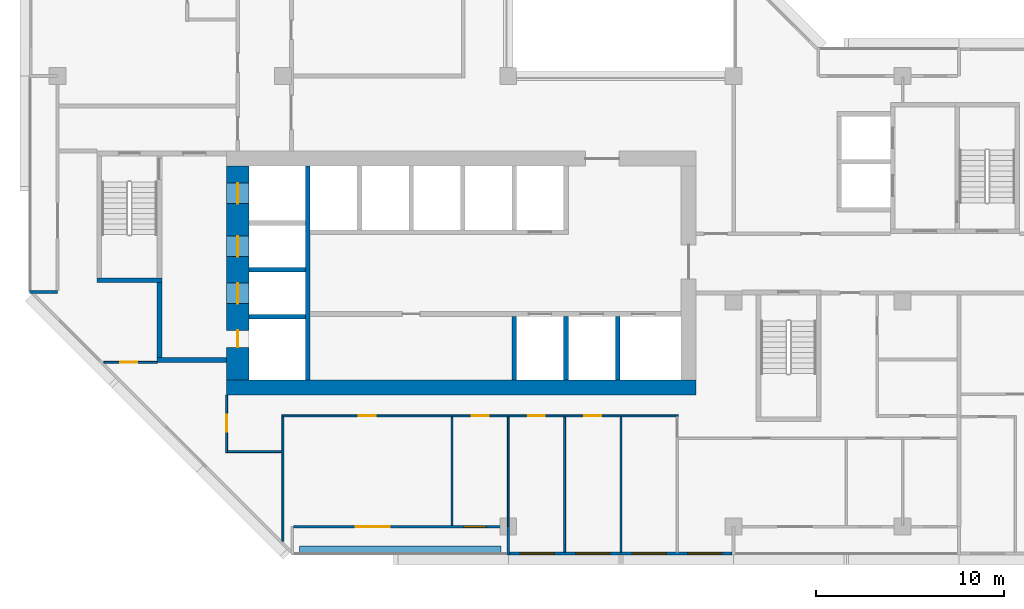
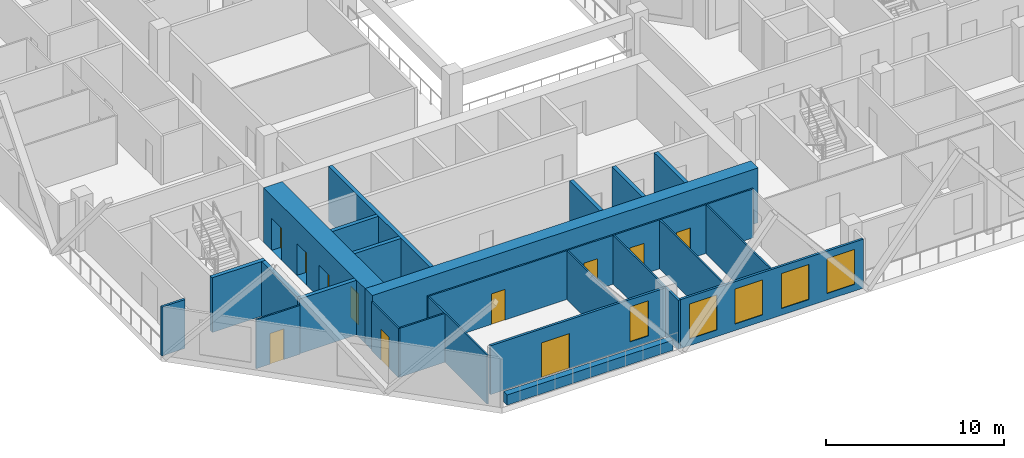
# One storey, part 4 of 14: 25 walls, 11 doors, 5 windows, 16 openings.
"""IFC4 building model written with IfcOpenShell, lengths in metres."""

from ifc_helpers import new_model, si_unit, direction, frame, frame_2d, origin, place, context, subcontext, project, spatial, rectangle, extrude, material, layer, layer_set, type_object, element, fill, save


model = new_model("IFC4")

# Units and contexts
model_context = context("Model", 3, precision=1e-05, world=origin(), true_north=direction((0.0, 1.0)))
body_context = subcontext(model_context, "Body", "Model", "MODEL_VIEW")
ifc_project = project(units=[si_unit("LENGTHUNIT", "METRE"), si_unit("AREAUNIT", "SQUARE_METRE"), si_unit("VOLUMEUNIT", "CUBIC_METRE"), si_unit("PLANEANGLEUNIT", "RADIAN"), si_unit("MASSUNIT", "GRAM", prefix="KILO")], contexts=[model_context])

# Site, building, storey
site_placement = place(None, origin())
site = spatial("IfcSite", under=ifc_project, at=site_placement, CompositionType="ELEMENT")
building_placement = place(site_placement, origin())
building = spatial("IfcBuilding", under=site, at=building_placement, Name="Chenar Terraces", CompositionType="ELEMENT")
storey_placement = place(building_placement, frame((0.0, 0.0, 179.89990234375)))
storey = spatial("IfcBuildingStorey", under=building, at=storey_placement, Name="L41", CompositionType="ELEMENT", Elevation=179.89990234375)

# Wall, openings, doors
ifc_material_1 = material(Name="Concrete C60/75", Category="concrete")
ifc_layer_1 = layer(ifc_material_1, 1.199951171875)
ifc_layer_set_1 = layer_set([ifc_layer_1], Name="Concrete C60/75")
wall_type_1 = type_object("IfcWallType", Name="Core wall 1200 Concrete C60/75", PredefinedType="SHEAR", material=ifc_layer_set_1)
wall_1_placement = place(storey_placement, frame((9.60009765625, 7.800048828125, 0.0), z_axis=(0.0, 0.0, 1.0), x_axis=(0.0, 1.0, 0.0)))
wall_1 = element("IfcWall", 1, at=wall_1_placement, inside=storey, type_object=wall_type_1, Name="Core wall W L41", PredefinedType="SHEAR", context=body_context, shape_type="SweptSolid", body=[
    extrude(rectangle(XDim=11.39990234375, YDim=1.199951171875, at=frame_2d((5.699951171875, 0.0))), origin(), (0.0, 0.0, 1.0), 3.75),
])
opening_1_placement = place(wall_1_placement, frame((4.074951171875, 0.0, 0.0)))
opening_1 = element("IfcOpeningElement", 2, at=opening_1_placement, cuts=wall_1, Name="Opening DL41-LD5", PredefinedType="OPENING", context=body_context, shape_type="SweptSolid", body=[
    extrude(rectangle(XDim=1.10009765625, YDim=2.199951171875, at=frame_2d((0.550048828125, 1.10009765625))), frame((0.0, 0.60986328125, 0.0), z_axis=(0.0, -1.0, 0.0), x_axis=(1.0, 0.0, 0.0)), (0.0, 0.0, 1.0), 1.219970703125),
])
opening_2_placement = place(wall_1_placement, frame((6.574951171875, 0.0, 0.0)))
opening_2 = element("IfcOpeningElement", 3, at=opening_2_placement, cuts=wall_1, Name="Opening DL41-LD6", PredefinedType="OPENING", context=body_context, shape_type="SweptSolid", body=[
    extrude(rectangle(XDim=1.10009765625, YDim=2.199951171875, at=frame_2d((0.550048828125, 1.10009765625))), frame((0.0, 0.60986328125, 0.0), z_axis=(0.0, -1.0, 0.0), x_axis=(1.0, 0.0, 0.0)), (0.0, 0.0, 1.0), 1.219970703125),
])
opening_3_placement = place(wall_1_placement, frame((9.39990234375, 0.0, 0.0)))
opening_3 = element("IfcOpeningElement", 4, at=opening_3_placement, cuts=wall_1, Name="Opening DL41-LD7", PredefinedType="OPENING", context=body_context, shape_type="SweptSolid", body=[
    extrude(rectangle(XDim=1.10009765625, YDim=2.199951171875, at=frame_2d((0.550048828125, 1.10009765625))), frame((0.0, 0.60986328125, 0.0), z_axis=(0.0, -1.0, 0.0), x_axis=(1.0, 0.0, 0.0)), (0.0, 0.0, 1.0), 1.219970703125),
])
opening_4_placement = place(wall_1_placement, frame((1.75, 0.0, 0.0)))
opening_4 = element("IfcOpeningElement", 5, at=opening_4_placement, cuts=wall_1, Name="Opening DL41-C4", PredefinedType="OPENING", context=body_context, shape_type="SweptSolid", body=[
    extrude(rectangle(XDim=0.89990234375, YDim=2.10009765625, at=frame_2d((0.449951171875, 1.050048828125))), frame((0.0, 0.60986328125, 0.0), z_axis=(0.0, -1.0, 0.0), x_axis=(1.0, 0.0, 0.0)), (0.0, 0.0, 1.0), 1.219970703125),
])
ifc_material_2 = material(Name="Stainless steel", Category="steel")
door_type_1 = type_object("IfcDoorType", Name="Lift landing door 1100 x 2200 sliding", OperationType="DOUBLE_DOOR_SLIDING", PredefinedType="DOOR", material=ifc_material_2)
door_1_placement = place(opening_1_placement, origin())
door_1 = element("IfcDoor", 6, at=door_1_placement, inside=storey, type_object=door_type_1, Name="Landing door S1", OperationType="DOUBLE_DOOR_SLIDING", OverallHeight=2.199951171875, OverallWidth=1.10009765625, PredefinedType="DOOR", context=body_context, shape_type="SweptSolid", body=[
    extrude(rectangle(XDim=1.10009765625, YDim=2.199951171875, at=frame_2d((0.550048828125, 1.10009765625))), frame((0.0, 0.02490234375, 0.0), z_axis=(0.0, -1.0, 0.0), x_axis=(1.0, 0.0, 0.0)), (0.0, 0.0, 1.0), 0.050048828125),
])
fill(opening_1, door_1)
door_2_placement = place(opening_2_placement, origin())
door_2 = element("IfcDoor", 7, at=door_2_placement, inside=storey, type_object=door_type_1, Name="Landing door F1", OperationType="DOUBLE_DOOR_SLIDING", OverallHeight=2.199951171875, OverallWidth=1.10009765625, PredefinedType="DOOR", context=body_context, shape_type="SweptSolid", body=[
    extrude(rectangle(XDim=1.10009765625, YDim=2.199951171875, at=frame_2d((0.550048828125, 1.10009765625))), frame((0.0, 0.02490234375, 0.0), z_axis=(0.0, -1.0, 0.0), x_axis=(1.0, 0.0, 0.0)), (0.0, 0.0, 1.0), 0.050048828125),
])
fill(opening_2, door_2)
door_3_placement = place(opening_3_placement, origin())
door_3 = element("IfcDoor", 8, at=door_3_placement, inside=storey, type_object=door_type_1, Name="Landing door F2", OperationType="DOUBLE_DOOR_SLIDING", OverallHeight=2.199951171875, OverallWidth=1.10009765625, PredefinedType="DOOR", context=body_context, shape_type="SweptSolid", body=[
    extrude(rectangle(XDim=1.10009765625, YDim=2.199951171875, at=frame_2d((0.550048828125, 1.10009765625))), frame((0.0, 0.02490234375, 0.0), z_axis=(0.0, -1.0, 0.0), x_axis=(1.0, 0.0, 0.0)), (0.0, 0.0, 1.0), 0.050048828125),
])
fill(opening_3, door_3)
ifc_material_3 = material(Name="Steel-framed fire-resisting door leaf", Category="steel")
door_type_2 = type_object("IfcDoorType", Name="Riser fire door FD60 900 x 2100", OperationType="SINGLE_SWING_LEFT", PredefinedType="DOOR", material=ifc_material_3)
door_4_placement = place(opening_4_placement, frame((0.89990234375, 0.0, 0.0), z_axis=(0.0, 0.0, 1.0), x_axis=(-1.0, 0.0, 0.0)))
door_4 = element("IfcDoor", 9, at=door_4_placement, inside=storey, type_object=door_type_2, Name="Riser door DL41-C4", OperationType="SINGLE_SWING_LEFT", OverallHeight=2.10009765625, OverallWidth=0.89990234375, PredefinedType="DOOR", context=body_context, shape_type="SweptSolid", body=[
    extrude(rectangle(XDim=0.89990234375, YDim=2.10009765625, at=frame_2d((0.449951171875, 1.050048828125))), frame((0.0, 0.02490234375, 0.0), z_axis=(0.0, -1.0, 0.0), x_axis=(1.0, 0.0, 0.0)), (0.0, 0.0, 1.0), 0.050048828125),
])
fill(opening_4, door_4)

# Walls
ifc_material_4 = material(Name="Concrete C60/75", Category="concrete")
ifc_layer_2 = layer(ifc_material_4, 0.25)
ifc_layer_set_2 = layer_set([ifc_layer_2], Name="Concrete C60/75")
wall_type_2 = type_object("IfcWallType", Name="Core wall 250 Concrete C60/75", PredefinedType="SHEAR", material=ifc_layer_set_2)
wall_2_placement = place(storey_placement, frame((13.324951171875, 7.800048828125, 0.0), z_axis=(0.0, 0.0, 1.0), x_axis=(0.0, 1.0, 0.0)))
element("IfcWall", 10, at=wall_2_placement, inside=storey, type_object=wall_type_2, Name="Core wall WI L41", PredefinedType="SHEAR", context=body_context, shape_type="SweptSolid", body=[
    extrude(rectangle(XDim=11.39990234375, YDim=0.25, at=frame_2d((5.699951171875, 0.0))), origin(), (0.0, 0.0, 1.0), 3.75),
])
for number, where, z_axis, x_axis, name in (
    (11, (10.199951171875, 11.175048828125, 0.0), (0.0, 0.0, 1.0), (1.0, 0.0, 0.0), "Core wall HW0 L41"),
    (12, (10.199951171875, 13.675048828125, 0.0), (0.0, 0.0, 1.0), (1.0, 0.0, 0.0), "Core wall HW1 L41"),
):
    element("IfcWall", number, at=place(storey_placement, frame(where, z_axis=z_axis, x_axis=x_axis)), inside=storey, type_object=wall_type_2, Name=name, PredefinedType="SHEAR", context=body_context, shape_type="SweptSolid", body=[
        extrude(rectangle(XDim=3.0, YDim=0.25, at=frame_2d((1.5, 0.0))), origin(), (0.0, 0.0, 1.0), 3.75),
    ])
for number, where, z_axis, x_axis, name in (
    (13, (24.324951171875, 7.800048828125, 0.0), (0.0, 0.0, 1.0), (0.0, 1.0, 0.0), "Core wall SS3 L41"),
    (14, (27.074951171875, 7.800048828125, 0.0), (0.0, 0.0, 1.0), (0.0, 1.0, 0.0), "Core wall SS4 L41"),
    (15, (29.824951171875, 7.800048828125, 0.0), (0.0, 0.0, 1.0), (0.0, 1.0, 0.0), "Core wall SS5 L41"),
):
    element("IfcWall", number, at=place(storey_placement, frame(where, z_axis=z_axis, x_axis=x_axis)), inside=storey, type_object=wall_type_2, Name=name, PredefinedType="SHEAR", context=body_context, shape_type="SweptSolid", body=[
        extrude(rectangle(XDim=3.39990234375, YDim=0.25, at=frame_2d((1.699951171875, 0.0))), origin(), (0.0, 0.0, 1.0), 3.75),
    ])
wall_3_placement = place(storey_placement, frame((2.10009765625, 13.125, 0.0), z_axis=(0.0, 0.0, 1.0), x_axis=(1.0, 0.0, 0.0)))
element("IfcWall", 16, at=wall_3_placement, inside=storey, type_object=wall_type_2, Name="Core wall ST1_S L41", PredefinedType="SHEAR", context=body_context, shape_type="SweptSolid", body=[
    extrude(rectangle(XDim=3.449951171875, YDim=0.25, at=frame_2d((1.72509765625, 0.0))), origin(), (0.0, 0.0, 1.0), 3.75),
])
wall_4_placement = place(storey_placement, frame((5.300048828125, 8.875, 0.0), z_axis=(0.0, 0.0, 1.0), x_axis=(1.0, 0.0, 0.0)))
element("IfcWall", 17, at=wall_4_placement, inside=storey, type_object=wall_type_2, Name="Core wall FFL_S L41", PredefinedType="SHEAR", context=body_context, shape_type="SweptSolid", body=[
    extrude(rectangle(XDim=3.699951171875, YDim=0.25, at=frame_2d((1.85009765625, 0.0))), origin(), (0.0, 0.0, 1.0), 3.75),
])
wall_5_placement = place(storey_placement, frame((5.425048828125, 9.0, 0.0), z_axis=(0.0, 0.0, 1.0), x_axis=(0.0, 1.0, 0.0)))
element("IfcWall", 18, at=wall_5_placement, inside=storey, type_object=wall_type_2, Name="Core wall FFL_W L41", PredefinedType="SHEAR", context=body_context, shape_type="SweptSolid", body=[
    extrude(rectangle(XDim=4.0, YDim=0.25, at=frame_2d((2.0, 0.0))), origin(), (0.0, 0.0, 1.0), 3.75),
])
ifc_material_5 = material(Name="Concrete C60/75", Category="concrete")
ifc_layer_3 = layer(ifc_material_5, 0.800048828125)
ifc_layer_set_3 = layer_set([ifc_layer_3], Name="Concrete C60/75")
wall_type_3 = type_object("IfcWallType", Name="Core wall 800 Concrete C60/75", PredefinedType="SHEAR", material=ifc_layer_set_3)
wall_6_placement = place(storey_placement, frame((9.0, 7.39990234375, 0.0), z_axis=(0.0, 0.0, 1.0), x_axis=(1.0, 0.0, 0.0)))
element("IfcWall", 19, at=wall_6_placement, inside=storey, type_object=wall_type_3, Name="Core wall S L41", PredefinedType="SHEAR", context=body_context, shape_type="SweptSolid", body=[
    extrude(rectangle(XDim=25.0, YDim=0.800048828125, at=frame_2d((12.5, 0.0))), origin(), (0.0, 0.0, 1.0), 3.75),
])

# Wall, openings, windows
ifc_material_6 = material(Name="Aluminium framed glazing", Category="aluminium")
ifc_layer_4 = layer(ifc_material_6, 0.14990234375)
ifc_layer_set_4 = layer_set([ifc_layer_4], Name="Aluminium framed glazing")
wall_type_4 = type_object("IfcWallType", Name="Glazed flush facade wall 150", PredefinedType="SOLIDWALL", material=ifc_layer_set_4)
wall_7_placement = place(storey_placement, frame((24.074951171875, -1.425048828125, 0.0), z_axis=(0.0, 0.0, 1.0), x_axis=(1.0, 0.0, 0.0)))
wall_7 = element("IfcWall", 20, at=wall_7_placement, inside=storey, type_object=wall_type_4, Name="Glazed flush facade wall", PredefinedType="SOLIDWALL", context=body_context, shape_type="SweptSolid", body=[
    extrude(rectangle(XDim=11.85009765625, YDim=0.14990234375, at=frame_2d((5.925048828125, 0.0))), origin(), (0.0, 0.0, 1.0), 3.35009765625),
])
opening_5_placement = place(wall_7_placement, frame((0.5625, 0.0, 0.449951171875)))
opening_5 = element("IfcOpeningElement", 21, at=opening_5_placement, cuts=wall_7, Name="Opening W180x240", PredefinedType="OPENING", context=body_context, shape_type="SweptSolid", body=[
    extrude(rectangle(XDim=1.800048828125, YDim=2.39990234375, at=frame_2d((0.89990234375, 1.199951171875))), frame((0.0, 0.0849609375, 0.0), z_axis=(0.0, -1.0, 0.0), x_axis=(1.0, 0.0, 0.0)), (0.0, 0.0, 1.0), 0.169921875),
])
opening_6_placement = place(wall_7_placement, frame((3.52490234375, 0.0, 0.449951171875)))
opening_6 = element("IfcOpeningElement", 22, at=opening_6_placement, cuts=wall_7, Name="Opening W180x240", PredefinedType="OPENING", context=body_context, shape_type="SweptSolid", body=[
    extrude(rectangle(XDim=1.800048828125, YDim=2.39990234375, at=frame_2d((0.89990234375, 1.199951171875))), frame((0.0, 0.0849609375, 0.0), z_axis=(0.0, -1.0, 0.0), x_axis=(1.0, 0.0, 0.0)), (0.0, 0.0, 1.0), 0.169921875),
])
opening_7_placement = place(wall_7_placement, frame((6.52490234375, 0.0, 0.449951171875)))
opening_7 = element("IfcOpeningElement", 23, at=opening_7_placement, cuts=wall_7, Name="Opening W180x240", PredefinedType="OPENING", context=body_context, shape_type="SweptSolid", body=[
    extrude(rectangle(XDim=1.800048828125, YDim=2.39990234375, at=frame_2d((0.89990234375, 1.199951171875))), frame((0.0, 0.0849609375, 0.0), z_axis=(0.0, -1.0, 0.0), x_axis=(1.0, 0.0, 0.0)), (0.0, 0.0, 1.0), 0.169921875),
])
opening_8_placement = place(wall_7_placement, frame((9.487548828125, 0.0, 0.449951171875)))
opening_8 = element("IfcOpeningElement", 24, at=opening_8_placement, cuts=wall_7, Name="Opening W180x240", PredefinedType="OPENING", context=body_context, shape_type="SweptSolid", body=[
    extrude(rectangle(XDim=1.800048828125, YDim=2.39990234375, at=frame_2d((0.89990234375, 1.199951171875))), frame((0.0, 0.0849609375, 0.0), z_axis=(0.0, -1.0, 0.0), x_axis=(1.0, 0.0, 0.0)), (0.0, 0.0, 1.0), 0.169921875),
])
ifc_material_7 = material(Name="Low emissivity double glazing, aluminium frame", Category="aluminium")
window_type_1 = type_object("IfcWindowType", Name="Fixed light 1800 x 2400", PartitioningType="SINGLE_PANEL", PredefinedType="WINDOW", material=ifc_material_7)
window_1_placement = place(opening_5_placement, origin())
window_1 = element("IfcWindow", 25, at=window_1_placement, inside=storey, type_object=window_type_1, Name="Window", OverallHeight=2.39990234375, OverallWidth=1.800048828125, PartitioningType="SINGLE_PANEL", PredefinedType="WINDOW", context=body_context, shape_type="SweptSolid", body=[
    extrude(rectangle(XDim=1.800048828125, YDim=2.39990234375, at=frame_2d((0.89990234375, 1.199951171875))), frame((0.0, 0.030029296875, 0.0), z_axis=(0.0, -1.0, 0.0), x_axis=(1.0, 0.0, 0.0)), (0.0, 0.0, 1.0), 0.06005859375),
])
fill(opening_5, window_1)
window_2_placement = place(opening_6_placement, origin())
window_2 = element("IfcWindow", 26, at=window_2_placement, inside=storey, type_object=window_type_1, Name="Window", OverallHeight=2.39990234375, OverallWidth=1.800048828125, PartitioningType="SINGLE_PANEL", PredefinedType="WINDOW", context=body_context, shape_type="SweptSolid", body=[
    extrude(rectangle(XDim=1.800048828125, YDim=2.39990234375, at=frame_2d((0.89990234375, 1.199951171875))), frame((0.0, 0.030029296875, 0.0), z_axis=(0.0, -1.0, 0.0), x_axis=(1.0, 0.0, 0.0)), (0.0, 0.0, 1.0), 0.06005859375),
])
fill(opening_6, window_2)
window_3_placement = place(opening_7_placement, origin())
window_3 = element("IfcWindow", 27, at=window_3_placement, inside=storey, type_object=window_type_1, Name="Window", OverallHeight=2.39990234375, OverallWidth=1.800048828125, PartitioningType="SINGLE_PANEL", PredefinedType="WINDOW", context=body_context, shape_type="SweptSolid", body=[
    extrude(rectangle(XDim=1.800048828125, YDim=2.39990234375, at=frame_2d((0.89990234375, 1.199951171875))), frame((0.0, 0.030029296875, 0.0), z_axis=(0.0, -1.0, 0.0), x_axis=(1.0, 0.0, 0.0)), (0.0, 0.0, 1.0), 0.06005859375),
])
fill(opening_7, window_3)
window_4_placement = place(opening_8_placement, origin())
window_4 = element("IfcWindow", 28, at=window_4_placement, inside=storey, type_object=window_type_1, Name="Window", OverallHeight=2.39990234375, OverallWidth=1.800048828125, PartitioningType="SINGLE_PANEL", PredefinedType="WINDOW", context=body_context, shape_type="SweptSolid", body=[
    extrude(rectangle(XDim=1.800048828125, YDim=2.39990234375, at=frame_2d((0.89990234375, 1.199951171875))), frame((0.0, 0.030029296875, 0.0), z_axis=(0.0, -1.0, 0.0), x_axis=(1.0, 0.0, 0.0)), (0.0, 0.0, 1.0), 0.06005859375),
])
fill(opening_8, window_4)

# Wall, openings, window, door
ifc_material_8 = material(Name="Aluminium framed glazing", Category="aluminium")
ifc_layer_5 = layer(ifc_material_8, 0.14990234375)
ifc_layer_set_5 = layer_set([ifc_layer_5], Name="Aluminium framed glazing")
wall_type_5 = type_object("IfcWallType", Name="Glazed loggia back wall 150", PredefinedType="SOLIDWALL", material=ifc_layer_set_5)
wall_8_placement = place(storey_placement, frame((12.574951171875, 0.0, 0.0), z_axis=(0.0, 0.0, 1.0), x_axis=(1.0, 0.0, 0.0)))
wall_8 = element("IfcWall", 29, at=wall_8_placement, inside=storey, type_object=wall_type_5, Name="Glazed loggia back wall", PredefinedType="SOLIDWALL", context=body_context, shape_type="SweptSolid", body=[
    extrude(rectangle(XDim=11.35009765625, YDim=0.14990234375, at=frame_2d((5.675048828125, 0.0))), origin(), (0.0, 0.0, 1.0), 3.35009765625),
])
opening_9_placement = place(wall_8_placement, frame((3.3125, 0.0, 0.0)))
opening_9 = element("IfcOpeningElement", 30, at=opening_9_placement, cuts=wall_8, Name="Opening DL41-G5", PredefinedType="OPENING", context=body_context, shape_type="SweptSolid", body=[
    extrude(rectangle(XDim=1.800048828125, YDim=2.39990234375, at=frame_2d((0.89990234375, 1.199951171875))), frame((0.0, 0.0849609375, 0.0), z_axis=(0.0, -1.0, 0.0), x_axis=(1.0, 0.0, 0.0)), (0.0, 0.0, 1.0), 0.169921875),
])
opening_10_placement = place(wall_8_placement, frame((9.050048828125, 0.0, 0.449951171875)))
opening_10 = element("IfcOpeningElement", 31, at=opening_10_placement, cuts=wall_8, Name="Opening W120x240", PredefinedType="OPENING", context=body_context, shape_type="SweptSolid", body=[
    extrude(rectangle(XDim=1.199951171875, YDim=2.39990234375, at=frame_2d((0.60009765625, 1.199951171875))), frame((0.0, 0.0849609375, 0.0), z_axis=(0.0, -1.0, 0.0), x_axis=(1.0, 0.0, 0.0)), (0.0, 0.0, 1.0), 0.169921875),
])
ifc_material_9 = material(Name="Low emissivity double glazing, aluminium frame", Category="aluminium")
window_type_2 = type_object("IfcWindowType", Name="Fixed light 1200 x 2400", PartitioningType="SINGLE_PANEL", PredefinedType="WINDOW", material=ifc_material_9)
window_5_placement = place(opening_10_placement, origin())
window_5 = element("IfcWindow", 32, at=window_5_placement, inside=storey, type_object=window_type_2, Name="Window", OverallHeight=2.39990234375, OverallWidth=1.199951171875, PartitioningType="SINGLE_PANEL", PredefinedType="WINDOW", context=body_context, shape_type="SweptSolid", body=[
    extrude(rectangle(XDim=1.199951171875, YDim=2.39990234375, at=frame_2d((0.60009765625, 1.199951171875))), frame((0.0, 0.030029296875, 0.0), z_axis=(0.0, -1.0, 0.0), x_axis=(1.0, 0.0, 0.0)), (0.0, 0.0, 1.0), 0.06005859375),
])
fill(opening_10, window_5)
ifc_material_10 = material(Name="Low emissivity double glazing, aluminium frame", Category="aluminium")
door_type_3 = type_object("IfcDoorType", Name="Loggia glazed double door 1800 x 2400", OperationType="DOUBLE_DOOR_SINGLE_SWING", PredefinedType="DOOR", material=ifc_material_10)
door_5_placement = place(opening_9_placement, frame((1.800048828125, 0.0, 0.0), z_axis=(0.0, 0.0, 1.0), x_axis=(-1.0, 0.0, 0.0)))
door_5 = element("IfcDoor", 33, at=door_5_placement, inside=storey, type_object=door_type_3, Name="Loggia glazed door", OperationType="DOUBLE_DOOR_SINGLE_SWING", OverallHeight=2.39990234375, OverallWidth=1.800048828125, PredefinedType="DOOR", context=body_context, shape_type="SweptSolid", body=[
    extrude(rectangle(XDim=1.800048828125, YDim=2.39990234375, at=frame_2d((0.89990234375, 1.199951171875))), frame((0.0, 0.02490234375, 0.0), z_axis=(0.0, -1.0, 0.0), x_axis=(1.0, 0.0, 0.0)), (0.0, 0.0, 1.0), 0.050048828125),
])
fill(opening_9, door_5)

# Wall, opening, door
ifc_material_11 = material(Name="Gypsum board on steel studs", Category="steel")
ifc_layer_6 = layer(ifc_material_11, 0.10009765625)
ifc_layer_set_6 = layer_set([ifc_layer_6], Name="Gypsum board on steel studs")
wall_type_6 = type_object("IfcWallType", Name="Gypsum partition 100", PredefinedType="PARTITIONING", material=ifc_layer_set_6)
wall_9_placement = place(storey_placement, frame((2.4609375, 8.75, 0.0), z_axis=(0.0, 0.0, 1.0), x_axis=(1.0, 0.0, 0.0)))
wall_9 = element("IfcWall", 34, at=wall_9_placement, inside=storey, type_object=wall_type_6, Name="Partition L41-012", PredefinedType="PARTITIONING", context=body_context, shape_type="SweptSolid", body=[
    extrude(rectangle(XDim=2.839111328125, YDim=0.10009765625, at=frame_2d((1.41943359375, 0.0))), origin(), (0.0, 0.0, 1.0), 3.35009765625),
])
opening_11_placement = place(wall_9_placement, frame((0.888916015625, 0.0, 0.0)))
opening_11 = element("IfcOpeningElement", 35, at=opening_11_placement, cuts=wall_9, Name="Opening DL41-48", PredefinedType="OPENING", context=body_context, shape_type="SweptSolid", body=[
    extrude(rectangle(XDim=0.89990234375, YDim=2.10009765625, at=frame_2d((0.449951171875, 1.050048828125))), frame((0.0, 0.06005859375, 0.0), z_axis=(0.0, -1.0, 0.0), x_axis=(1.0, 0.0, 0.0)), (0.0, 0.0, 1.0), 0.1201171875),
])
ifc_material_12 = material(Name="Veneered timber door leaf", Category="wood")
door_type_4 = type_object("IfcDoorType", Name="Door 900 x 2100", OperationType="SINGLE_SWING_LEFT", PredefinedType="DOOR", material=ifc_material_12)
door_6_placement = place(opening_11_placement, frame((0.89990234375, 0.0, 0.0), z_axis=(0.0, 0.0, 1.0), x_axis=(-1.0, 0.0, 0.0)))
door_6 = element("IfcDoor", 36, at=door_6_placement, inside=storey, type_object=door_type_4, Name="Door DL41-48", OperationType="SINGLE_SWING_RIGHT", OverallHeight=2.10009765625, OverallWidth=0.89990234375, PredefinedType="DOOR", context=body_context, shape_type="SweptSolid", body=[
    extrude(rectangle(XDim=0.89990234375, YDim=2.10009765625, at=frame_2d((0.449951171875, 1.050048828125))), frame((0.0, 0.02490234375, 0.0), z_axis=(0.0, -1.0, 0.0), x_axis=(1.0, 0.0, 0.0)), (0.0, 0.0, 1.0), 0.050048828125),
])
fill(opening_11, door_6)

wall_10_placement = place(storey_placement, frame((9.0, 3.949951171875, 0.0), z_axis=(0.0, 0.0, 1.0), x_axis=(0.0, 1.0, 0.0)))
wall_10 = element("IfcWall", 37, at=wall_10_placement, inside=storey, type_object=wall_type_6, Name="Partition L41-029", PredefinedType="PARTITIONING", context=body_context, shape_type="SweptSolid", body=[
    extrude(rectangle(XDim=3.050048828125, YDim=0.10009765625, at=frame_2d((1.52490234375, 0.0))), origin(), (0.0, 0.0, 1.0), 3.35009765625),
])
opening_12_placement = place(wall_10_placement, frame((1.10009765625, 0.0, 0.0)))
opening_12 = element("IfcOpeningElement", 38, at=opening_12_placement, cuts=wall_10, Name="Opening DL41-47", PredefinedType="OPENING", context=body_context, shape_type="SweptSolid", body=[
    extrude(rectangle(XDim=0.89990234375, YDim=2.10009765625, at=frame_2d((0.449951171875, 1.050048828125))), frame((0.0, 0.06005859375, 0.0), z_axis=(0.0, -1.0, 0.0), x_axis=(1.0, 0.0, 0.0)), (0.0, 0.0, 1.0), 0.1201171875),
])
door_7_placement = place(opening_12_placement, origin())
door_7 = element("IfcDoor", 39, at=door_7_placement, inside=storey, type_object=door_type_4, Name="Door DL41-47", OperationType="SINGLE_SWING_LEFT", OverallHeight=2.10009765625, OverallWidth=0.89990234375, PredefinedType="DOOR", context=body_context, shape_type="SweptSolid", body=[
    extrude(rectangle(XDim=0.89990234375, YDim=2.10009765625, at=frame_2d((0.449951171875, 1.050048828125))), frame((0.0, 0.02490234375, 0.0), z_axis=(0.0, -1.0, 0.0), x_axis=(1.0, 0.0, 0.0)), (0.0, 0.0, 1.0), 0.050048828125),
])
fill(opening_12, door_7)

# Wall
wall_11_placement = place(storey_placement, frame((9.050048828125, 4.0, 0.0), z_axis=(0.0, 0.0, 1.0), x_axis=(1.0, 0.0, 0.0)))
element("IfcWall", 40, at=wall_11_placement, inside=storey, type_object=wall_type_6, Name="Partition L41-030", PredefinedType="PARTITIONING", context=body_context, shape_type="SweptSolid", body=[
    extrude(rectangle(XDim=2.89990234375, YDim=0.10009765625, at=frame_2d((1.449951171875, 0.0))), origin(), (0.0, 0.0, 1.0), 3.35009765625),
])

# Wall, openings, doors
wall_12_placement = place(storey_placement, frame((11.949951171875, 5.89990234375, 0.0), z_axis=(0.0, 0.0, 1.0), x_axis=(1.0, 0.0, 0.0)))
wall_12 = element("IfcWall", 41, at=wall_12_placement, inside=storey, type_object=wall_type_6, Name="Partition L41-032", PredefinedType="PARTITIONING", context=body_context, shape_type="SweptSolid", body=[
    extrude(rectangle(XDim=21.10009765625, YDim=0.10009765625, at=frame_2d((10.550048828125, 0.0))), origin(), (0.0, 0.0, 1.0), 3.35009765625),
])
opening_13_placement = place(wall_12_placement, frame((10.10009765625, 0.0, 0.0)))
opening_13 = element("IfcOpeningElement", 42, at=opening_13_placement, cuts=wall_12, Name="Opening DL41-41", PredefinedType="OPENING", context=body_context, shape_type="SweptSolid", body=[
    extrude(rectangle(XDim=0.89990234375, YDim=2.10009765625, at=frame_2d((0.449951171875, 1.050048828125))), frame((0.0, 0.06005859375, 0.0), z_axis=(0.0, -1.0, 0.0), x_axis=(1.0, 0.0, 0.0)), (0.0, 0.0, 1.0), 0.1201171875),
])
opening_14_placement = place(wall_12_placement, frame((13.10009765625, 0.0, 0.0)))
opening_14 = element("IfcOpeningElement", 43, at=opening_14_placement, cuts=wall_12, Name="Opening DL41-42", PredefinedType="OPENING", context=body_context, shape_type="SweptSolid", body=[
    extrude(rectangle(XDim=0.89990234375, YDim=2.10009765625, at=frame_2d((0.449951171875, 1.050048828125))), frame((0.0, 0.06005859375, 0.0), z_axis=(0.0, -1.0, 0.0), x_axis=(1.0, 0.0, 0.0)), (0.0, 0.0, 1.0), 0.1201171875),
])
opening_15_placement = place(wall_12_placement, frame((16.10009765625, 0.0, 0.0)))
opening_15 = element("IfcOpeningElement", 44, at=opening_15_placement, cuts=wall_12, Name="Opening DL41-43", PredefinedType="OPENING", context=body_context, shape_type="SweptSolid", body=[
    extrude(rectangle(XDim=0.89990234375, YDim=2.10009765625, at=frame_2d((0.449951171875, 1.050048828125))), frame((0.0, 0.06005859375, 0.0), z_axis=(0.0, -1.0, 0.0), x_axis=(1.0, 0.0, 0.0)), (0.0, 0.0, 1.0), 0.1201171875),
])
opening_16_placement = place(wall_12_placement, frame((4.10009765625, 0.0, 0.0)))
opening_16 = element("IfcOpeningElement", 45, at=opening_16_placement, cuts=wall_12, Name="Opening DL41-51", PredefinedType="OPENING", context=body_context, shape_type="SweptSolid", body=[
    extrude(rectangle(XDim=0.89990234375, YDim=2.10009765625, at=frame_2d((0.449951171875, 1.050048828125))), frame((0.0, 0.06005859375, 0.0), z_axis=(0.0, -1.0, 0.0), x_axis=(1.0, 0.0, 0.0)), (0.0, 0.0, 1.0), 0.1201171875),
])
door_8_placement = place(opening_13_placement, frame((0.89990234375, 0.0, 0.0), z_axis=(0.0, 0.0, 1.0), x_axis=(-1.0, 0.0, 0.0)))
door_8 = element("IfcDoor", 46, at=door_8_placement, inside=storey, type_object=door_type_4, Name="Door DL41-41", OperationType="SINGLE_SWING_RIGHT", OverallHeight=2.10009765625, OverallWidth=0.89990234375, PredefinedType="DOOR", context=body_context, shape_type="SweptSolid", body=[
    extrude(rectangle(XDim=0.89990234375, YDim=2.10009765625, at=frame_2d((0.449951171875, 1.050048828125))), frame((0.0, 0.02490234375, 0.0), z_axis=(0.0, -1.0, 0.0), x_axis=(1.0, 0.0, 0.0)), (0.0, 0.0, 1.0), 0.050048828125),
])
fill(opening_13, door_8)
door_9_placement = place(opening_14_placement, frame((0.89990234375, 0.0, 0.0), z_axis=(0.0, 0.0, 1.0), x_axis=(-1.0, 0.0, 0.0)))
door_9 = element("IfcDoor", 47, at=door_9_placement, inside=storey, type_object=door_type_4, Name="Door DL41-42", OperationType="SINGLE_SWING_RIGHT", OverallHeight=2.10009765625, OverallWidth=0.89990234375, PredefinedType="DOOR", context=body_context, shape_type="SweptSolid", body=[
    extrude(rectangle(XDim=0.89990234375, YDim=2.10009765625, at=frame_2d((0.449951171875, 1.050048828125))), frame((0.0, 0.02490234375, 0.0), z_axis=(0.0, -1.0, 0.0), x_axis=(1.0, 0.0, 0.0)), (0.0, 0.0, 1.0), 0.050048828125),
])
fill(opening_14, door_9)
door_10_placement = place(opening_15_placement, frame((0.89990234375, 0.0, 0.0), z_axis=(0.0, 0.0, 1.0), x_axis=(-1.0, 0.0, 0.0)))
door_10 = element("IfcDoor", 48, at=door_10_placement, inside=storey, type_object=door_type_4, Name="Door DL41-43", OperationType="SINGLE_SWING_RIGHT", OverallHeight=2.10009765625, OverallWidth=0.89990234375, PredefinedType="DOOR", context=body_context, shape_type="SweptSolid", body=[
    extrude(rectangle(XDim=0.89990234375, YDim=2.10009765625, at=frame_2d((0.449951171875, 1.050048828125))), frame((0.0, 0.02490234375, 0.0), z_axis=(0.0, -1.0, 0.0), x_axis=(1.0, 0.0, 0.0)), (0.0, 0.0, 1.0), 0.050048828125),
])
fill(opening_15, door_10)
door_11_placement = place(opening_16_placement, frame((0.89990234375, 0.0, 0.0), z_axis=(0.0, 0.0, 1.0), x_axis=(-1.0, 0.0, 0.0)))
door_11 = element("IfcDoor", 49, at=door_11_placement, inside=storey, type_object=door_type_4, Name="Door DL41-51", OperationType="SINGLE_SWING_RIGHT", OverallHeight=2.10009765625, OverallWidth=0.89990234375, PredefinedType="DOOR", context=body_context, shape_type="SweptSolid", body=[
    extrude(rectangle(XDim=0.89990234375, YDim=2.10009765625, at=frame_2d((0.449951171875, 1.050048828125))), frame((0.0, 0.02490234375, 0.0), z_axis=(0.0, -1.0, 0.0), x_axis=(1.0, 0.0, 0.0)), (0.0, 0.0, 1.0), 0.050048828125),
])
fill(opening_16, door_11)

# Walls
wall_13_placement = place(storey_placement, frame((12.0, -0.787841796875, 0.0), z_axis=(0.0, 0.0, 1.0), x_axis=(0.0, 1.0, 0.0)))
element("IfcWall", 50, at=wall_13_placement, inside=storey, type_object=wall_type_6, Name="Partition L41-033", PredefinedType="PARTITIONING", context=body_context, shape_type="SweptSolid", body=[
    extrude(rectangle(XDim=6.637939453125, YDim=0.10009765625, at=frame_2d((3.31884765625, 0.0))), origin(), (0.0, 0.0, 1.0), 3.35009765625),
])
wall_14_placement = place(storey_placement, frame((21.0, 0.073974609375, 0.0), z_axis=(0.0, 0.0, 1.0), x_axis=(0.0, 1.0, 0.0)))
element("IfcWall", 51, at=wall_14_placement, inside=storey, type_object=wall_type_6, Name="Partition L41-052", PredefinedType="PARTITIONING", context=body_context, shape_type="SweptSolid", body=[
    extrude(rectangle(XDim=5.776123046875, YDim=0.10009765625, at=frame_2d((2.88818359375, 0.0))), origin(), (0.0, 0.0, 1.0), 3.35009765625),
])
wall_15_placement = place(storey_placement, frame((24.0, 0.0, 0.0), z_axis=(0.0, 0.0, 1.0), x_axis=(0.0, 1.0, 0.0)))
element("IfcWall", 52, at=wall_15_placement, inside=storey, type_object=wall_type_6, Name="Partition L41-054", PredefinedType="PARTITIONING", context=body_context, shape_type="SweptSolid", body=[
    extrude(rectangle(XDim=5.85009765625, YDim=0.10009765625, at=frame_2d((2.925048828125, 0.0))), origin(), (0.0, 0.0, 1.0), 3.35009765625),
])
for number, where, z_axis, x_axis, name in (
    (53, (27.0, -1.35107421875, 0.0), (0.0, 0.0, 1.0), (0.0, 1.0, 0.0), "Partition L41-055"),
    (54, (30.0, -1.35107421875, 0.0), (0.0, 0.0, 1.0), (0.0, 1.0, 0.0), "Partition L41-056"),
):
    element("IfcWall", number, at=place(storey_placement, frame(where, z_axis=z_axis, x_axis=x_axis)), inside=storey, type_object=wall_type_6, Name=name, PredefinedType="PARTITIONING", context=body_context, shape_type="SweptSolid", body=[
        extrude(rectangle(XDim=7.201171875, YDim=0.10009765625, at=frame_2d((3.6005859375, 0.0))), origin(), (0.0, 0.0, 1.0), 3.35009765625),
    ])
ifc_material_13 = material(Name="Terracotta cladding on insulated backing", Category="masonry")
ifc_layer_7 = layer(ifc_material_13, 0.14990234375)
ifc_layer_set_7 = layer_set([ifc_layer_7], Name="Terracotta cladding on insulated backing")
wall_type_7 = type_object("IfcWallType", Name="Loggia return wall 150", PredefinedType="SOLIDWALL", material=ifc_layer_set_7)
for number, where, z_axis, x_axis, name in (
    (55, (-1.5, 12.5, 0.0), (0.0, 0.0, 1.0), (1.0, 0.0, 0.0), "Loggia return wall"),
    (56, (24.0, -1.5, 0.0), (0.0, 0.0, 1.0), (0.0, 1.0, 0.0), "Loggia return wall"),
):
    element("IfcWall", number, at=place(storey_placement, frame(where, z_axis=z_axis, x_axis=x_axis)), inside=storey, type_object=wall_type_7, Name=name, PredefinedType="SOLIDWALL", context=body_context, shape_type="SweptSolid", body=[
        extrude(rectangle(XDim=1.5, YDim=0.14990234375, at=frame_2d((0.75, 0.0))), origin(), (0.0, 0.0, 1.0), 3.35009765625),
    ])
ifc_material_14 = material(Name="GRP planter trough")
ifc_layer_8 = layer(ifc_material_14, 0.39990234375)
ifc_layer_set_8 = layer_set([ifc_layer_8], Name="GRP planter trough")
wall_type_8 = type_object("IfcWallType", Name="Vertical greenery planter 400", PredefinedType="SOLIDWALL", material=ifc_layer_set_8)
wall_16_placement = place(storey_placement, frame((12.875, -1.22900390625, 0.0), z_axis=(0.0, 0.0, 1.0), x_axis=(1.0, 0.0, 0.0)))
element("IfcWall", 57, at=wall_16_placement, inside=storey, type_object=wall_type_8, Name="Vertical greenery planter", PredefinedType="SOLIDWALL", context=body_context, shape_type="SweptSolid", body=[
    extrude(rectangle(XDim=10.75, YDim=0.39990234375, at=frame_2d((5.375, 0.0))), origin(), (0.0, 0.0, 1.0), 0.7001953125),
])

save(model, "model.ifc")
